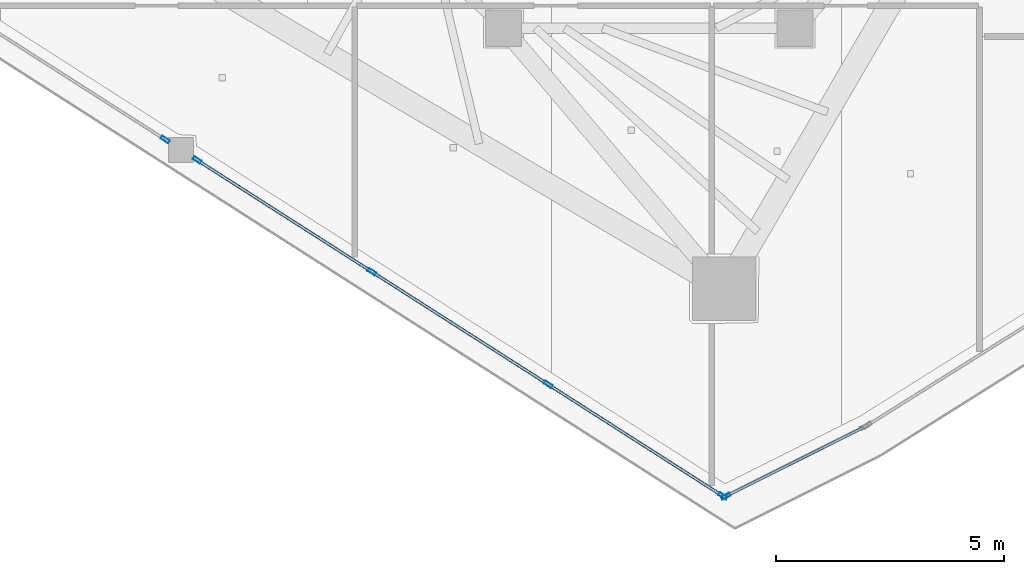
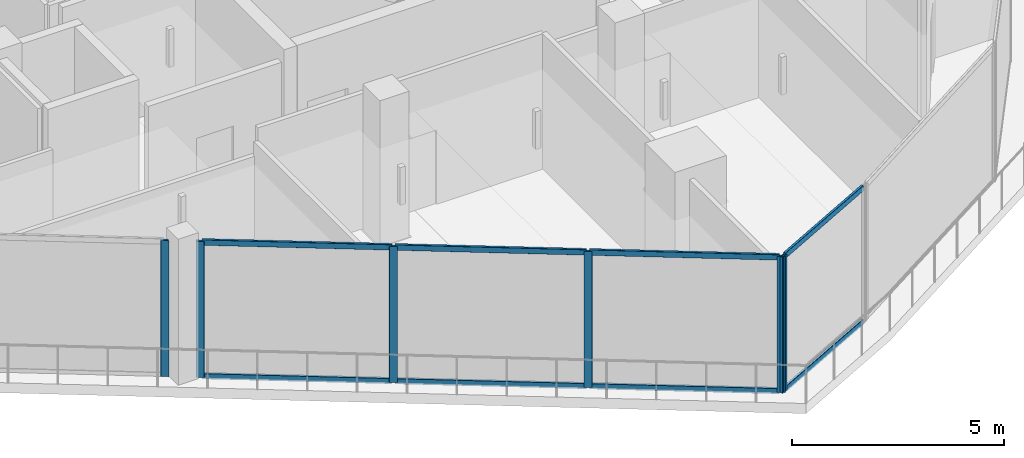
# One storey, part 3 of 23: 14 members, 3 elements without a shape of their own.
"""IFC4 building model written with IfcOpenShell, lengths in metres."""

from ifc_helpers import new_model, si_unit, direction, frame, origin, origin_2d, place, context, subcontext, project, spatial, hollow_rectangle, extrude, material, layer, layer_set, material_profile, profile_set, type_object, element, aggregate, save


model = new_model("IFC4")

# Units and contexts
model_context = context("Model", 3, precision=1e-05, world=origin(), true_north=direction((0.0, 1.0)))
body_context = subcontext(model_context, "Body", "Model", "MODEL_VIEW")
ifc_project = project(units=[si_unit("LENGTHUNIT", "METRE"), si_unit("AREAUNIT", "SQUARE_METRE"), si_unit("VOLUMEUNIT", "CUBIC_METRE"), si_unit("PLANEANGLEUNIT", "RADIAN"), si_unit("MASSUNIT", "GRAM", prefix="KILO")], contexts=[model_context])

# Site, building, storey
site_placement = place(None, origin())
site = spatial("IfcSite", under=ifc_project, at=site_placement, CompositionType="ELEMENT")
building_placement = place(site_placement, origin())
building = spatial("IfcBuilding", under=site, at=building_placement, Name="Qorvath Tower", CompositionType="ELEMENT")
storey_placement = place(building_placement, frame((0.0, 0.0, 310.199951171875)))
storey = spatial("IfcBuildingStorey", under=building, at=storey_placement, Name="L72", CompositionType="ELEMENT", Elevation=310.199951171875)

# Curtain wall, member
ifc_material_1 = material(Name="Anodised aluminium and triple low-E glass", Category="aluminium")
ifc_layer = layer(ifc_material_1, 0.179931640625)
ifc_layer_set = layer_set([ifc_layer], Name="CW-SYS-4")
curtain_wall_type = type_object("IfcCurtainWallType", Name="CW-SYS-4", PredefinedType="NOTDEFINED", material=ifc_layer_set)
curtain_wall_1_placement = place(storey_placement, origin())
curtain_wall_1 = element("IfcCurtainWall", 1, at=curtain_wall_1_placement, inside=storey, type_object=curtain_wall_type, Name="Curtain Wall CW-4 CW-T-L72-2.1", PredefinedType="NOTDEFINED")
ifc_material_2 = material(Name="Anodised aluminium 6063-T6", Category="aluminium")
ifc_material_profile_1 = material_profile(ifc_material_2, hollow_rectangle(XDim=0.074951171875, YDim=0.199951171875, WallThickness=0.00390625, InnerFilletRadius=0.00390625, OuterFilletRadius=0.008056640625, at=origin_2d()), Name="CWM 200x75")
ifc_profile_set_1 = profile_set([ifc_material_profile_1], Name="Anodised aluminium 6063-T6")
member_type_1 = type_object("IfcMemberType", Name="CWM-200", PredefinedType="MULLION", material=ifc_profile_set_1)
member_1_placement = place(storey_placement, frame((-31.02880859375, -13.899658203125, 0.0), z_axis=(0.0, 0.0, 1.0), x_axis=(0.538538446751, 0.842600938387, 0.0)))
member_1 = element("IfcMember", 2, at=member_1_placement, type_object=member_type_1, Name="CW-4 mullion 5", PredefinedType="MULLION", context=body_context, shape_type="SweptSolid", body=[
    extrude(hollow_rectangle(XDim=0.074951171875, YDim=0.199951171875, WallThickness=0.00390625, InnerFilletRadius=0.00390625, OuterFilletRadius=0.008056640625, at=origin_2d()), origin(), (0.0, 0.0, 1.0), 3.91015625),
])
aggregate(curtain_wall_1, [member_1])

# Curtain wall, members
curtain_wall_2_placement = place(storey_placement, origin())
curtain_wall_2 = element("IfcCurtainWall", 3, at=curtain_wall_2_placement, inside=storey, type_object=curtain_wall_type, Name="Curtain Wall CW-4 CW-T-L72-2.2", PredefinedType="NOTDEFINED")
member_2_placement = place(storey_placement, frame((-30.32568359375, -14.34912109375, 0.0), z_axis=(0.0, 0.0, 1.0), x_axis=(0.538531336391, 0.842605482847, 0.0)))
member_2 = element("IfcMember", 4, at=member_2_placement, type_object=member_type_1, Name="CW-4 mullion 1", PredefinedType="MULLION", context=body_context, shape_type="SweptSolid", body=[
    extrude(hollow_rectangle(XDim=0.074951171875, YDim=0.199951171875, WallThickness=0.00390625, InnerFilletRadius=0.00390625, OuterFilletRadius=0.008056640625, at=origin_2d()), origin(), (0.0, 0.0, 1.0), 3.91015625),
])
member_3_placement = place(storey_placement, frame((-26.488525390625, -16.801513671875, 0.0), z_axis=(0.0, 0.0, 1.0), x_axis=(0.538531336391, 0.842605482847, 0.0)))
member_3 = element("IfcMember", 5, at=member_3_placement, type_object=member_type_1, Name="CW-4 mullion 2", PredefinedType="MULLION", context=body_context, shape_type="SweptSolid", body=[
    extrude(hollow_rectangle(XDim=0.074951171875, YDim=0.199951171875, WallThickness=0.00390625, InnerFilletRadius=0.00390625, OuterFilletRadius=0.008056640625, at=origin_2d()), origin(), (0.0, 0.0, 1.0), 3.91015625),
])
member_4_placement = place(storey_placement, frame((-22.619873046875, -19.27392578125, 0.0), z_axis=(0.0, 0.0, 1.0), x_axis=(0.538531336391, 0.842605482847, 0.0)))
member_4 = element("IfcMember", 6, at=member_4_placement, type_object=member_type_1, Name="CW-4 mullion 3", PredefinedType="MULLION", context=body_context, shape_type="SweptSolid", body=[
    extrude(hollow_rectangle(XDim=0.074951171875, YDim=0.199951171875, WallThickness=0.00390625, InnerFilletRadius=0.00390625, OuterFilletRadius=0.008056640625, at=origin_2d()), origin(), (0.0, 0.0, 1.0), 3.91015625),
])
member_5_placement = place(storey_placement, frame((-18.78271484375, -21.726318359375, 0.0), z_axis=(0.0, 0.0, 1.0), x_axis=(0.538531336391, 0.842605482847, 0.0)))
member_5 = element("IfcMember", 7, at=member_5_placement, type_object=member_type_1, Name="CW-4 mullion 4", PredefinedType="MULLION", context=body_context, shape_type="SweptSolid", body=[
    extrude(hollow_rectangle(XDim=0.074951171875, YDim=0.199951171875, WallThickness=0.00390625, InnerFilletRadius=0.00390625, OuterFilletRadius=0.008056640625, at=origin_2d()), origin(), (0.0, 0.0, 1.0), 3.91015625),
])

# Curtain wall, member
curtain_wall_3_placement = place(storey_placement, origin())
curtain_wall_3 = element("IfcCurtainWall", 8, at=curtain_wall_3_placement, inside=storey, type_object=curtain_wall_type, Name="Curtain Wall CW-4 CW-T-L72-3.1", PredefinedType="NOTDEFINED")
member_6_placement = place(storey_placement, frame((-18.7177734375, -21.729736328125, 0.0), z_axis=(0.0, 0.0, 1.0), x_axis=(-0.447156015897, 0.894455978485, 0.0)))
member_6 = element("IfcMember", 9, at=member_6_placement, type_object=member_type_1, Name="CW-4 mullion 1", PredefinedType="MULLION", context=body_context, shape_type="SweptSolid", body=[
    extrude(hollow_rectangle(XDim=0.074951171875, YDim=0.199951171875, WallThickness=0.00390625, InnerFilletRadius=0.00390625, OuterFilletRadius=0.008056640625, at=origin_2d()), origin(), (0.0, 0.0, 1.0), 3.91015625),
])

# Member
ifc_material_3 = material(Name="Anodised aluminium 6063-T6", Category="aluminium")
ifc_material_profile_2 = material_profile(ifc_material_3, hollow_rectangle(XDim=0.06494140625, YDim=0.159912109375, WallThickness=0.00341796875, InnerFilletRadius=0.00341796875, OuterFilletRadius=0.007080078125, at=origin_2d()), Name="CWT 160x65")
ifc_profile_set_2 = profile_set([ifc_material_profile_2], Name="Anodised aluminium 6063-T6")
member_type_2 = type_object("IfcMemberType", Name="CWT-160", PredefinedType="USERDEFINED", material=ifc_profile_set_2)
member_7_placement = place(storey_placement, frame((-30.2939453125, -14.369384765625, 0.032470703125), z_axis=(0.842620683766, -0.538507551748, 0.0), x_axis=(0.538507551748, 0.842620683766, 0.0)))
member_7 = element("IfcMember", 10, at=member_7_placement, type_object=member_type_2, Name="CW-4 transom 1.1", ObjectType="TRANSOM", PredefinedType="USERDEFINED", context=body_context, shape_type="SweptSolid", body=[
    extrude(hollow_rectangle(XDim=0.06494140625, YDim=0.159912109375, WallThickness=0.00341796875, InnerFilletRadius=0.00341796875, OuterFilletRadius=0.007080078125, at=origin_2d()), origin(), (0.0, 0.0, 1.0), 4.478759765625),
])

member_8_placement = place(storey_placement, frame((-30.2939453125, -14.369384765625, 3.877685546875), z_axis=(0.842620683766, -0.538507551748, 0.0), x_axis=(0.538507551748, 0.842620683766, 0.0)))
member_8 = element("IfcMember", 11, at=member_8_placement, type_object=member_type_2, Name="CW-4 transom 1.2", ObjectType="TRANSOM", PredefinedType="USERDEFINED", context=body_context, shape_type="SweptSolid", body=[
    extrude(hollow_rectangle(XDim=0.06494140625, YDim=0.159912109375, WallThickness=0.00341796875, InnerFilletRadius=0.00341796875, OuterFilletRadius=0.007080078125, at=origin_2d()), origin(), (0.0, 0.0, 1.0), 4.478759765625),
])

member_9_placement = place(storey_placement, frame((-26.45703125, -16.82177734375, 0.032470703125), z_axis=(0.84262267674, -0.538504433262, 0.0), x_axis=(0.538504433262, 0.84262267674, 0.0)))
member_9 = element("IfcMember", 12, at=member_9_placement, type_object=member_type_2, Name="CW-4 transom 2.1", ObjectType="TRANSOM", PredefinedType="USERDEFINED", context=body_context, shape_type="SweptSolid", body=[
    extrude(hollow_rectangle(XDim=0.06494140625, YDim=0.159912109375, WallThickness=0.00341796875, InnerFilletRadius=0.00341796875, OuterFilletRadius=0.007080078125, at=origin_2d()), origin(), (0.0, 0.0, 1.0), 4.516357421875),
])

member_10_placement = place(storey_placement, frame((-26.45703125, -16.82177734375, 3.877685546875), z_axis=(0.84262267674, -0.538504433262, 0.0), x_axis=(0.538504433262, 0.84262267674, 0.0)))
member_10 = element("IfcMember", 13, at=member_10_placement, type_object=member_type_2, Name="CW-4 transom 2.2", ObjectType="TRANSOM", PredefinedType="USERDEFINED", context=body_context, shape_type="SweptSolid", body=[
    extrude(hollow_rectangle(XDim=0.06494140625, YDim=0.159912109375, WallThickness=0.00341796875, InnerFilletRadius=0.00341796875, OuterFilletRadius=0.007080078125, at=origin_2d()), origin(), (0.0, 0.0, 1.0), 4.516357421875),
])

member_11_placement = place(storey_placement, frame((-22.58837890625, -19.294189453125, 0.032470703125), z_axis=(0.842595949127, -0.538546252903, 0.0), x_axis=(0.538546252903, 0.842595949127, 0.0)))
member_11 = element("IfcMember", 14, at=member_11_placement, type_object=member_type_2, Name="CW-4 transom 3.1", ObjectType="TRANSOM", PredefinedType="USERDEFINED", context=body_context, shape_type="SweptSolid", body=[
    extrude(hollow_rectangle(XDim=0.06494140625, YDim=0.159912109375, WallThickness=0.00341796875, InnerFilletRadius=0.00341796875, OuterFilletRadius=0.007080078125, at=origin_2d()), origin(), (0.0, 0.0, 1.0), 4.47900390625),
])

member_12_placement = place(storey_placement, frame((-22.58837890625, -19.294189453125, 3.877685546875), z_axis=(0.842595949127, -0.538546252903, 0.0), x_axis=(0.538546252903, 0.842595949127, 0.0)))
member_12 = element("IfcMember", 15, at=member_12_placement, type_object=member_type_2, Name="CW-4 transom 3.2", ObjectType="TRANSOM", PredefinedType="USERDEFINED", context=body_context, shape_type="SweptSolid", body=[
    extrude(hollow_rectangle(XDim=0.06494140625, YDim=0.159912109375, WallThickness=0.00341796875, InnerFilletRadius=0.00341796875, OuterFilletRadius=0.007080078125, at=origin_2d()), origin(), (0.0, 0.0, 1.0), 4.47900390625),
])

aggregate(curtain_wall_2, [member_2, member_3, member_4, member_5, member_7, member_8, member_9, member_10, member_11, member_12])

member_13_placement = place(storey_placement, frame((-18.68408203125, -21.713134765625, 0.032470703125), z_axis=(0.894456573319, 0.447154826034, 0.0), x_axis=(-0.447154826034, 0.894456573319, 0.0)))
member_13 = element("IfcMember", 16, at=member_13_placement, type_object=member_type_2, Name="CW-4 transom 1.1", ObjectType="TRANSOM", PredefinedType="USERDEFINED", context=body_context, shape_type="SweptSolid", body=[
    extrude(hollow_rectangle(XDim=0.06494140625, YDim=0.159912109375, WallThickness=0.00341796875, InnerFilletRadius=0.00341796875, OuterFilletRadius=0.007080078125, at=origin_2d()), origin(), (0.0, 0.0, 1.0), 3.323486328125),
])

member_14_placement = place(storey_placement, frame((-18.68408203125, -21.713134765625, 3.877685546875), z_axis=(0.894456573319, 0.447154826034, 0.0), x_axis=(-0.447154826034, 0.894456573319, 0.0)))
member_14 = element("IfcMember", 17, at=member_14_placement, type_object=member_type_2, Name="CW-4 transom 1.2", ObjectType="TRANSOM", PredefinedType="USERDEFINED", context=body_context, shape_type="SweptSolid", body=[
    extrude(hollow_rectangle(XDim=0.06494140625, YDim=0.159912109375, WallThickness=0.00341796875, InnerFilletRadius=0.00341796875, OuterFilletRadius=0.007080078125, at=origin_2d()), origin(), (0.0, 0.0, 1.0), 3.323486328125),
])

aggregate(curtain_wall_3, [member_6, member_13, member_14])

save(model, "model.ifc")
